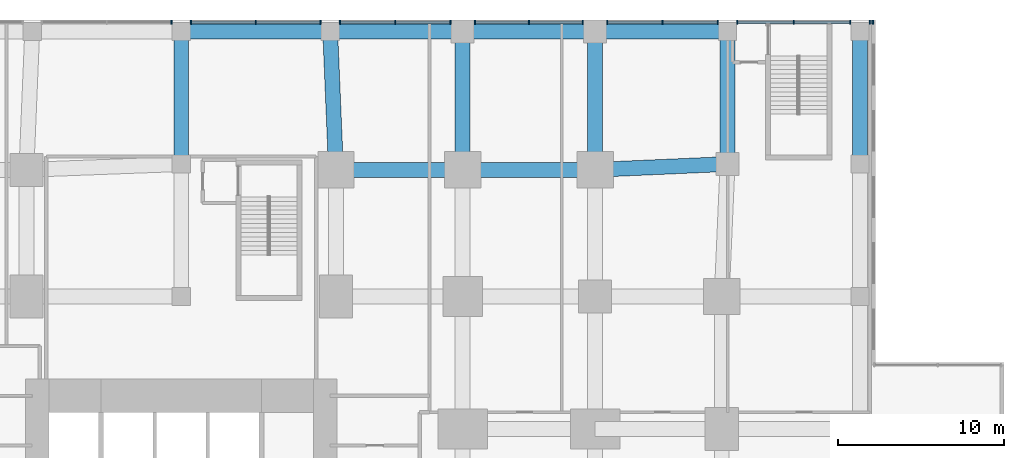
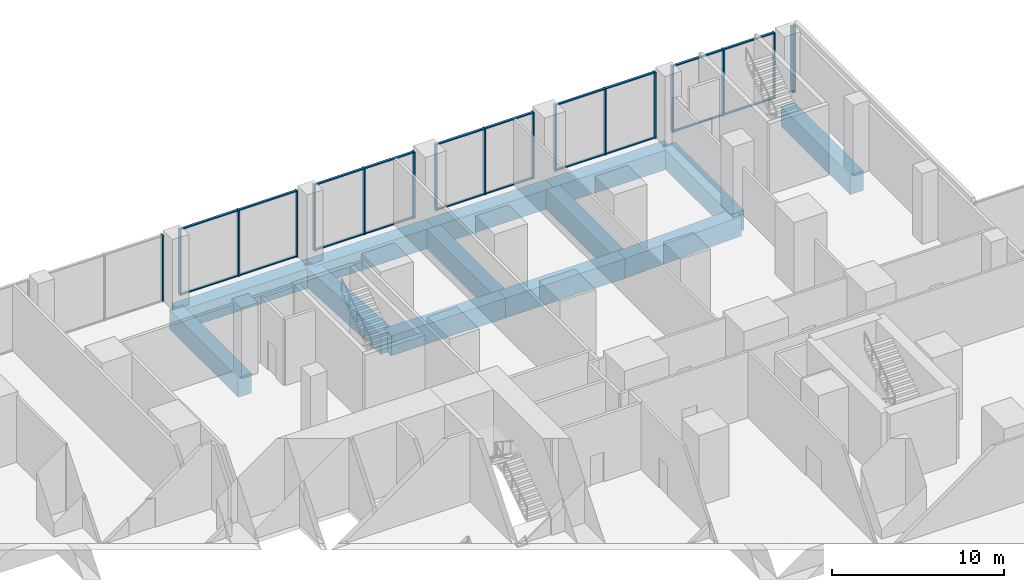
# One storey, part 8 of 22: 40 members, 13 beams, 7 elements without a shape of their own.
"""IFC4 building model written with IfcOpenShell, lengths in metres."""

from ifc_helpers import new_model, si_unit, direction, frame, origin, origin_2d, place, context, subcontext, project, spatial, rectangle, extrude, material, layer, layer_set, material_profile, profile_set, type_object, element, aggregate, save


model = new_model("IFC4")

# Units and contexts
model_context = context("Model", 3, precision=1e-05, world=origin(), true_north=direction((0.0, 1.0)))
body_context = subcontext(model_context, "Body", "Model", "MODEL_VIEW")
ifc_project = project(units=[si_unit("LENGTHUNIT", "METRE"), si_unit("AREAUNIT", "SQUARE_METRE"), si_unit("VOLUMEUNIT", "CUBIC_METRE"), si_unit("PLANEANGLEUNIT", "RADIAN"), si_unit("MASSUNIT", "GRAM", prefix="KILO")], contexts=[model_context])

# Site, building, storey
site_placement = place(None, origin())
site = spatial("IfcSite", under=ifc_project, at=site_placement, CompositionType="ELEMENT")
building_placement = place(site_placement, origin())
building = spatial("IfcBuilding", under=site, at=building_placement, Name="Cleftline Residences", CompositionType="ELEMENT")
storey_placement = place(building_placement, frame((0.0, 0.0, 6.0)))
storey = spatial("IfcBuildingStorey", under=building, at=storey_placement, Name="L01", CompositionType="ELEMENT", Elevation=6.0)

# Beams
ifc_material_1 = material(Name="Concrete B45", Category="concrete")
ifc_material_profile_1 = material_profile(ifc_material_1, rectangle(XDim=0.89990234375, YDim=1.39990234375, at=origin_2d()))
ifc_profile_set_1 = profile_set([ifc_material_profile_1], Name="Concrete B45")
beam_type = type_object("IfcBeamType", Name="BEAM RC900X1400", PredefinedType="BEAM", material=ifc_profile_set_1)
beam_1_placement = place(storey_placement, frame((42.35009765625, 47.64990234375, -1.0), z_axis=(1.0, 0.0, 0.0), x_axis=(0.0, 1.0, 0.0)))
element("IfcBeam", 1, at=beam_1_placement, inside=storey, type_object=beam_type, Name="Podium beam", PredefinedType="BEAM", context=body_context, shape_type="SweptSolid", body=[
    extrude(rectangle(XDim=0.89990234375, YDim=1.39990234375, at=origin_2d()), origin(), (0.0, 0.0, 1.0), 7.64990234375),
])
beam_2_placement = place(storey_placement, frame((50.0, 47.64990234375, -1.0), z_axis=(1.0, 0.0, 0.0), x_axis=(0.0, 1.0, 0.0)))
element("IfcBeam", 2, at=beam_2_placement, inside=storey, type_object=beam_type, Name="Podium beam", PredefinedType="BEAM", context=body_context, shape_type="SweptSolid", body=[
    extrude(rectangle(XDim=0.89990234375, YDim=1.39990234375, at=origin_2d()), origin(), (0.0, 0.0, 1.0), 8.0),
])
beam_3_placement = place(storey_placement, frame((58.0, 47.64990234375, -1.0), z_axis=(0.999043807824, 0.043720361951, 0.0), x_axis=(-0.043720361951, 0.999043807824, 0.0)))
element("IfcBeam", 3, at=beam_3_placement, inside=storey, type_object=beam_type, Name="Podium beam", PredefinedType="BEAM", context=body_context, shape_type="SweptSolid", body=[
    extrude(rectangle(XDim=0.89990234375, YDim=1.39990234375, at=origin_2d()), origin(), (0.0, 0.0, 1.0), 8.007568359375),
])
beam_4_placement = place(storey_placement, frame((33.0, 56.0, -1.0), z_axis=(1.0, 0.0, 0.0), x_axis=(0.0, 1.0, 0.0)))
element("IfcBeam", 4, at=beam_4_placement, inside=storey, type_object=beam_type, Name="Podium beam", PredefinedType="BEAM", context=body_context, shape_type="SweptSolid", body=[
    extrude(rectangle(XDim=0.89990234375, YDim=1.39990234375, at=origin_2d()), origin(), (0.0, 0.0, 1.0), 9.0),
])
for number, where, z_axis, x_axis, name in (
    (5, (42.0, 56.0, -1.0), (1.0, 0.0, 0.0), (0.0, 1.0, 0.0), "Podium beam"),
    (6, (50.0, 56.0, -1.0), (1.0, 0.0, 0.0), (0.0, 1.0, 0.0), "Podium beam"),
    (7, (58.0, 56.0, -1.0), (1.0, 0.0, 0.0), (0.0, 1.0, 0.0), "Podium beam"),
    (8, (33.0, 48.0, -1.0), (0.0, 1.0, 0.0), (-1.0, 0.0, 0.0), "Podium beam"),
):
    element("IfcBeam", number, at=place(storey_placement, frame(where, z_axis=z_axis, x_axis=x_axis)), inside=storey, type_object=beam_type, Name=name, PredefinedType="BEAM", context=body_context, shape_type="SweptSolid", body=[
        extrude(rectangle(XDim=0.89990234375, YDim=1.39990234375, at=origin_2d()), origin(), (0.0, 0.0, 1.0), 8.0),
    ])
beam_5_placement = place(storey_placement, frame((42.35009765625, 47.64990234375, -1.0), z_axis=(-0.041890569024, 0.999122204851, 0.0), x_axis=(-0.999122204851, -0.041890569024, 0.0)))
element("IfcBeam", 9, at=beam_5_placement, inside=storey, type_object=beam_type, Name="Podium beam", PredefinedType="BEAM", context=body_context, shape_type="SweptSolid", body=[
    extrude(rectangle(XDim=0.89990234375, YDim=1.39990234375, at=origin_2d()), origin(), (0.0, 0.0, 1.0), 8.357421875),
])
for number, where, z_axis, x_axis, name in (
    (10, (50.0, 47.64990234375, -1.0), (0.0, 1.0, 0.0), (-1.0, 0.0, 0.0), "Podium beam"),
    (11, (58.0, 47.64990234375, -1.0), (0.0, 1.0, 0.0), (-1.0, 0.0, 0.0), "Podium beam"),
):
    element("IfcBeam", number, at=place(storey_placement, frame(where, z_axis=z_axis, x_axis=x_axis)), inside=storey, type_object=beam_type, Name=name, PredefinedType="BEAM", context=body_context, shape_type="SweptSolid", body=[
        extrude(rectangle(XDim=0.89990234375, YDim=1.39990234375, at=origin_2d()), origin(), (0.0, 0.0, 1.0), 8.35009765625),
    ])
for number, where, z_axis, x_axis, name in (
    (12, (66.0, 48.0, -1.0), (0.0, 1.0, 0.0), (-1.0, 0.0, 0.0), "Podium beam"),
    (13, (74.0, 48.0, -1.0), (0.0, 1.0, 0.0), (-1.0, 0.0, 0.0), "Podium beam"),
):
    element("IfcBeam", number, at=place(storey_placement, frame(where, z_axis=z_axis, x_axis=x_axis)), inside=storey, type_object=beam_type, Name=name, PredefinedType="BEAM", context=body_context, shape_type="SweptSolid", body=[
        extrude(rectangle(XDim=0.89990234375, YDim=1.39990234375, at=origin_2d()), origin(), (0.0, 0.0, 1.0), 8.0),
    ])

# Curtain wall, members
ifc_material_2 = material(Name="Aluminium framed curtain wall", Category="aluminium")
ifc_layer = layer(ifc_material_2, 0.199951171875)
ifc_layer_set = layer_set([ifc_layer], Name="CW2 PODIUM GLAZING")
curtain_wall_type = type_object("IfcCurtainWallType", Name="CW2 PODIUM GLAZING", PredefinedType="NOTDEFINED", material=ifc_layer_set)
curtain_wall_1_placement = place(storey_placement, origin())
curtain_wall_1 = element("IfcCurtainWall", 14, at=curtain_wall_1_placement, inside=storey, type_object=curtain_wall_type, Name="Curtain wall CW2", PredefinedType="NOTDEFINED")
ifc_material_3 = material(Name="Aluminium mullion", Category="aluminium")
ifc_material_profile_2 = material_profile(ifc_material_3, rectangle(XDim=0.25, YDim=0.080078125, at=origin_2d()))
ifc_profile_set_2 = profile_set([ifc_material_profile_2], Name="Aluminium mullion")
member_type_1 = type_object("IfcMemberType", Name="CW2 MULLION", PredefinedType="MULLION", material=ifc_profile_set_2)
member_1_placement = place(storey_placement, frame((74.784912109375, 56.574951171875, 0.0), z_axis=(0.0, 0.0, 1.0), x_axis=(0.0, -1.0, 0.0)))
member_1 = element("IfcMember", 15, at=member_1_placement, type_object=member_type_1, Name="CW2 mullion 1", PredefinedType="MULLION", context=body_context, shape_type="SweptSolid", body=[
    extrude(rectangle(XDim=0.25, YDim=0.080078125, at=origin_2d()), origin(), (0.0, 0.0, 1.0), 4.699951171875),
])
member_2_placement = place(storey_placement, frame((74.590087890625, 56.574951171875, 0.0), z_axis=(0.0, 0.0, 1.0), x_axis=(0.0, -1.0, 0.0)))
member_2 = element("IfcMember", 16, at=member_2_placement, type_object=member_type_1, Name="CW2 mullion 2", PredefinedType="MULLION", context=body_context, shape_type="SweptSolid", body=[
    extrude(rectangle(XDim=0.25, YDim=0.080078125, at=origin_2d()), origin(), (0.0, 0.0, 1.0), 4.699951171875),
])

curtain_wall_2_placement = place(storey_placement, origin())
curtain_wall_2 = element("IfcCurtainWall", 17, at=curtain_wall_2_placement, inside=storey, type_object=curtain_wall_type, Name="Curtain wall CW2", PredefinedType="NOTDEFINED")
member_3_placement = place(storey_placement, frame((73.409912109375, 56.574951171875, 0.0), z_axis=(0.0, 0.0, 1.0), x_axis=(0.0, -1.0, 0.0)))
member_3 = element("IfcMember", 18, at=member_3_placement, type_object=member_type_1, Name="CW2 mullion 1", PredefinedType="MULLION", context=body_context, shape_type="SweptSolid", body=[
    extrude(rectangle(XDim=0.25, YDim=0.080078125, at=origin_2d()), origin(), (0.0, 0.0, 1.0), 4.699951171875),
])
member_4_placement = place(storey_placement, frame((70.0, 56.574951171875, 0.0), z_axis=(0.0, 0.0, 1.0), x_axis=(0.0, -1.0, 0.0)))
member_4 = element("IfcMember", 19, at=member_4_placement, type_object=member_type_1, Name="CW2 mullion 2", PredefinedType="MULLION", context=body_context, shape_type="SweptSolid", body=[
    extrude(rectangle(XDim=0.25, YDim=0.080078125, at=origin_2d()), origin(), (0.0, 0.0, 1.0), 4.699951171875),
])
member_5_placement = place(storey_placement, frame((66.590087890625, 56.574951171875, 0.0), z_axis=(0.0, 0.0, 1.0), x_axis=(0.0, -1.0, 0.0)))
member_5 = element("IfcMember", 20, at=member_5_placement, type_object=member_type_1, Name="CW2 mullion 3", PredefinedType="MULLION", context=body_context, shape_type="SweptSolid", body=[
    extrude(rectangle(XDim=0.25, YDim=0.080078125, at=origin_2d()), origin(), (0.0, 0.0, 1.0), 4.699951171875),
])

curtain_wall_3_placement = place(storey_placement, origin())
curtain_wall_3 = element("IfcCurtainWall", 21, at=curtain_wall_3_placement, inside=storey, type_object=curtain_wall_type, Name="Curtain wall CW2", PredefinedType="NOTDEFINED")
member_6_placement = place(storey_placement, frame((65.409912109375, 56.574951171875, 0.0), z_axis=(0.0, 0.0, 1.0), x_axis=(0.0, -1.0, 0.0)))
member_6 = element("IfcMember", 22, at=member_6_placement, type_object=member_type_1, Name="CW2 mullion 1", PredefinedType="MULLION", context=body_context, shape_type="SweptSolid", body=[
    extrude(rectangle(XDim=0.25, YDim=0.080078125, at=origin_2d()), origin(), (0.0, 0.0, 1.0), 4.699951171875),
])
member_7_placement = place(storey_placement, frame((62.074951171875, 56.574951171875, 0.0), z_axis=(0.0, 0.0, 1.0), x_axis=(0.0, -1.0, 0.0)))
member_7 = element("IfcMember", 23, at=member_7_placement, type_object=member_type_1, Name="CW2 mullion 2", PredefinedType="MULLION", context=body_context, shape_type="SweptSolid", body=[
    extrude(rectangle(XDim=0.25, YDim=0.080078125, at=origin_2d()), origin(), (0.0, 0.0, 1.0), 4.699951171875),
])
member_8_placement = place(storey_placement, frame((58.739990234375, 56.574951171875, 0.0), z_axis=(0.0, 0.0, 1.0), x_axis=(0.0, -1.0, 0.0)))
member_8 = element("IfcMember", 24, at=member_8_placement, type_object=member_type_1, Name="CW2 mullion 3", PredefinedType="MULLION", context=body_context, shape_type="SweptSolid", body=[
    extrude(rectangle(XDim=0.25, YDim=0.080078125, at=origin_2d()), origin(), (0.0, 0.0, 1.0), 4.699951171875),
])

curtain_wall_4_placement = place(storey_placement, origin())
curtain_wall_4 = element("IfcCurtainWall", 25, at=curtain_wall_4_placement, inside=storey, type_object=curtain_wall_type, Name="Curtain wall CW2", PredefinedType="NOTDEFINED")
member_9_placement = place(storey_placement, frame((57.260009765625, 56.574951171875, 0.0), z_axis=(0.0, 0.0, 1.0), x_axis=(0.0, -1.0, 0.0)))
member_9 = element("IfcMember", 26, at=member_9_placement, type_object=member_type_1, Name="CW2 mullion 1", PredefinedType="MULLION", context=body_context, shape_type="SweptSolid", body=[
    extrude(rectangle(XDim=0.25, YDim=0.080078125, at=origin_2d()), origin(), (0.0, 0.0, 1.0), 4.699951171875),
])
member_10_placement = place(storey_placement, frame((54.0, 56.574951171875, 0.0), z_axis=(0.0, 0.0, 1.0), x_axis=(0.0, -1.0, 0.0)))
member_10 = element("IfcMember", 27, at=member_10_placement, type_object=member_type_1, Name="CW2 mullion 2", PredefinedType="MULLION", context=body_context, shape_type="SweptSolid", body=[
    extrude(rectangle(XDim=0.25, YDim=0.080078125, at=origin_2d()), origin(), (0.0, 0.0, 1.0), 4.699951171875),
])
member_11_placement = place(storey_placement, frame((50.739990234375, 56.574951171875, 0.0), z_axis=(0.0, 0.0, 1.0), x_axis=(0.0, -1.0, 0.0)))
member_11 = element("IfcMember", 28, at=member_11_placement, type_object=member_type_1, Name="CW2 mullion 3", PredefinedType="MULLION", context=body_context, shape_type="SweptSolid", body=[
    extrude(rectangle(XDim=0.25, YDim=0.080078125, at=origin_2d()), origin(), (0.0, 0.0, 1.0), 4.699951171875),
])

curtain_wall_5_placement = place(storey_placement, origin())
curtain_wall_5 = element("IfcCurtainWall", 29, at=curtain_wall_5_placement, inside=storey, type_object=curtain_wall_type, Name="Curtain wall CW2", PredefinedType="NOTDEFINED")
member_12_placement = place(storey_placement, frame((49.260009765625, 56.574951171875, 0.0), z_axis=(0.0, 0.0, 1.0), x_axis=(0.0, -1.0, 0.0)))
member_12 = element("IfcMember", 30, at=member_12_placement, type_object=member_type_1, Name="CW2 mullion 1", PredefinedType="MULLION", context=body_context, shape_type="SweptSolid", body=[
    extrude(rectangle(XDim=0.25, YDim=0.080078125, at=origin_2d()), origin(), (0.0, 0.0, 1.0), 4.699951171875),
])
member_13_placement = place(storey_placement, frame((45.925048828125, 56.574951171875, 0.0), z_axis=(0.0, 0.0, 1.0), x_axis=(0.0, -1.0, 0.0)))
member_13 = element("IfcMember", 31, at=member_13_placement, type_object=member_type_1, Name="CW2 mullion 2", PredefinedType="MULLION", context=body_context, shape_type="SweptSolid", body=[
    extrude(rectangle(XDim=0.25, YDim=0.080078125, at=origin_2d()), origin(), (0.0, 0.0, 1.0), 4.699951171875),
])
member_14_placement = place(storey_placement, frame((42.590087890625, 56.574951171875, 0.0), z_axis=(0.0, 0.0, 1.0), x_axis=(0.0, -1.0, 0.0)))
member_14 = element("IfcMember", 32, at=member_14_placement, type_object=member_type_1, Name="CW2 mullion 3", PredefinedType="MULLION", context=body_context, shape_type="SweptSolid", body=[
    extrude(rectangle(XDim=0.25, YDim=0.080078125, at=origin_2d()), origin(), (0.0, 0.0, 1.0), 4.699951171875),
])

curtain_wall_6_placement = place(storey_placement, origin())
curtain_wall_6 = element("IfcCurtainWall", 33, at=curtain_wall_6_placement, inside=storey, type_object=curtain_wall_type, Name="Curtain wall CW2", PredefinedType="NOTDEFINED")
member_15_placement = place(storey_placement, frame((41.409912109375, 56.574951171875, 0.0), z_axis=(0.0, 0.0, 1.0), x_axis=(0.0, -1.0, 0.0)))
member_15 = element("IfcMember", 34, at=member_15_placement, type_object=member_type_1, Name="CW2 mullion 1", PredefinedType="MULLION", context=body_context, shape_type="SweptSolid", body=[
    extrude(rectangle(XDim=0.25, YDim=0.080078125, at=origin_2d()), origin(), (0.0, 0.0, 1.0), 4.699951171875),
])
member_16_placement = place(storey_placement, frame((37.5, 56.574951171875, 0.0), z_axis=(0.0, 0.0, 1.0), x_axis=(0.0, -1.0, 0.0)))
member_16 = element("IfcMember", 35, at=member_16_placement, type_object=member_type_1, Name="CW2 mullion 2", PredefinedType="MULLION", context=body_context, shape_type="SweptSolid", body=[
    extrude(rectangle(XDim=0.25, YDim=0.080078125, at=origin_2d()), origin(), (0.0, 0.0, 1.0), 4.699951171875),
])
member_17_placement = place(storey_placement, frame((33.590087890625, 56.574951171875, 0.0), z_axis=(0.0, 0.0, 1.0), x_axis=(0.0, -1.0, 0.0)))
member_17 = element("IfcMember", 36, at=member_17_placement, type_object=member_type_1, Name="CW2 mullion 3", PredefinedType="MULLION", context=body_context, shape_type="SweptSolid", body=[
    extrude(rectangle(XDim=0.25, YDim=0.080078125, at=origin_2d()), origin(), (0.0, 0.0, 1.0), 4.699951171875),
])

# Curtain wall, member
curtain_wall_7_placement = place(storey_placement, origin())
curtain_wall_7 = element("IfcCurtainWall", 37, at=curtain_wall_7_placement, inside=storey, type_object=curtain_wall_type, Name="Curtain wall CW2", PredefinedType="NOTDEFINED")
member_18_placement = place(storey_placement, frame((32.409912109375, 56.574951171875, 0.0), z_axis=(0.0, 0.0, 1.0), x_axis=(0.0, -1.0, 0.0)))
member_18 = element("IfcMember", 38, at=member_18_placement, type_object=member_type_1, Name="CW2 mullion 1", PredefinedType="MULLION", context=body_context, shape_type="SweptSolid", body=[
    extrude(rectangle(XDim=0.25, YDim=0.080078125, at=origin_2d()), origin(), (0.0, 0.0, 1.0), 4.699951171875),
])
aggregate(curtain_wall_7, [member_18])

# Member
ifc_material_4 = material(Name="Aluminium transom", Category="aluminium")
ifc_material_profile_3 = material_profile(ifc_material_4, rectangle(XDim=0.14990234375, YDim=0.080078125, at=origin_2d()))
ifc_profile_set_3 = profile_set([ifc_material_profile_3], Name="Aluminium transom")
member_type_2 = type_object("IfcMemberType", Name="CW2 TRANSOM", PredefinedType="USERDEFINED", material=ifc_profile_set_3)
member_19_placement = place(storey_placement, frame((74.7451171875, 56.574951171875, 0.0400390625), z_axis=(-1.0, 0.0, 0.0), x_axis=(0.0, -1.0, 0.0)))
member_19 = element("IfcMember", 39, at=member_19_placement, type_object=member_type_2, Name="CW2 transom 1.1", ObjectType="TRANSOM", PredefinedType="USERDEFINED", context=body_context, shape_type="SweptSolid", body=[
    extrude(rectangle(XDim=0.14990234375, YDim=0.080078125, at=origin_2d()), origin(), (0.0, 0.0, 1.0), 0.115234375),
])

member_20_placement = place(storey_placement, frame((74.7451171875, 56.574951171875, 4.659912109375), z_axis=(-1.0, 0.0, 0.0), x_axis=(0.0, -1.0, 0.0)))
member_20 = element("IfcMember", 40, at=member_20_placement, type_object=member_type_2, Name="CW2 transom 1.2", ObjectType="TRANSOM", PredefinedType="USERDEFINED", context=body_context, shape_type="SweptSolid", body=[
    extrude(rectangle(XDim=0.14990234375, YDim=0.080078125, at=origin_2d()), origin(), (0.0, 0.0, 1.0), 0.115234375),
])

aggregate(curtain_wall_1, [member_1, member_2, member_19, member_20])

member_21_placement = place(storey_placement, frame((73.3701171875, 56.574951171875, 0.0400390625), z_axis=(-1.0, 0.0, 0.0), x_axis=(0.0, -1.0, 0.0)))
member_21 = element("IfcMember", 41, at=member_21_placement, type_object=member_type_2, Name="CW2 transom 1.1", ObjectType="TRANSOM", PredefinedType="USERDEFINED", context=body_context, shape_type="SweptSolid", body=[
    extrude(rectangle(XDim=0.14990234375, YDim=0.080078125, at=origin_2d()), origin(), (0.0, 0.0, 1.0), 3.330078125),
])

member_22_placement = place(storey_placement, frame((73.3701171875, 56.574951171875, 4.659912109375), z_axis=(-1.0, 0.0, 0.0), x_axis=(0.0, -1.0, 0.0)))
member_22 = element("IfcMember", 42, at=member_22_placement, type_object=member_type_2, Name="CW2 transom 1.2", ObjectType="TRANSOM", PredefinedType="USERDEFINED", context=body_context, shape_type="SweptSolid", body=[
    extrude(rectangle(XDim=0.14990234375, YDim=0.080078125, at=origin_2d()), origin(), (0.0, 0.0, 1.0), 3.330078125),
])

member_23_placement = place(storey_placement, frame((69.9599609375, 56.574951171875, 0.0400390625), z_axis=(-1.0, 0.0, 0.0), x_axis=(0.0, -1.0, 0.0)))
member_23 = element("IfcMember", 43, at=member_23_placement, type_object=member_type_2, Name="CW2 transom 2.1", ObjectType="TRANSOM", PredefinedType="USERDEFINED", context=body_context, shape_type="SweptSolid", body=[
    extrude(rectangle(XDim=0.14990234375, YDim=0.080078125, at=origin_2d()), origin(), (0.0, 0.0, 1.0), 3.330078125),
])

member_24_placement = place(storey_placement, frame((69.9599609375, 56.574951171875, 4.659912109375), z_axis=(-1.0, 0.0, 0.0), x_axis=(0.0, -1.0, 0.0)))
member_24 = element("IfcMember", 44, at=member_24_placement, type_object=member_type_2, Name="CW2 transom 2.2", ObjectType="TRANSOM", PredefinedType="USERDEFINED", context=body_context, shape_type="SweptSolid", body=[
    extrude(rectangle(XDim=0.14990234375, YDim=0.080078125, at=origin_2d()), origin(), (0.0, 0.0, 1.0), 3.330078125),
])

aggregate(curtain_wall_2, [member_3, member_4, member_5, member_21, member_22, member_23, member_24])

member_25_placement = place(storey_placement, frame((65.3701171875, 56.574951171875, 0.0400390625), z_axis=(-1.0, 0.0, 0.0), x_axis=(0.0, -1.0, 0.0)))
member_25 = element("IfcMember", 45, at=member_25_placement, type_object=member_type_2, Name="CW2 transom 1.1", ObjectType="TRANSOM", PredefinedType="USERDEFINED", context=body_context, shape_type="SweptSolid", body=[
    extrude(rectangle(XDim=0.14990234375, YDim=0.080078125, at=origin_2d()), origin(), (0.0, 0.0, 1.0), 3.255126953125),
])

member_26_placement = place(storey_placement, frame((65.3701171875, 56.574951171875, 4.659912109375), z_axis=(-1.0, 0.0, 0.0), x_axis=(0.0, -1.0, 0.0)))
member_26 = element("IfcMember", 46, at=member_26_placement, type_object=member_type_2, Name="CW2 transom 1.2", ObjectType="TRANSOM", PredefinedType="USERDEFINED", context=body_context, shape_type="SweptSolid", body=[
    extrude(rectangle(XDim=0.14990234375, YDim=0.080078125, at=origin_2d()), origin(), (0.0, 0.0, 1.0), 3.255126953125),
])

member_27_placement = place(storey_placement, frame((62.034912109375, 56.574951171875, 0.0400390625), z_axis=(-1.0, 0.0, 0.0), x_axis=(0.0, -1.0, 0.0)))
member_27 = element("IfcMember", 47, at=member_27_placement, type_object=member_type_2, Name="CW2 transom 2.1", ObjectType="TRANSOM", PredefinedType="USERDEFINED", context=body_context, shape_type="SweptSolid", body=[
    extrude(rectangle(XDim=0.14990234375, YDim=0.080078125, at=origin_2d()), origin(), (0.0, 0.0, 1.0), 3.2548828125),
])

member_28_placement = place(storey_placement, frame((62.034912109375, 56.574951171875, 4.659912109375), z_axis=(-1.0, 0.0, 0.0), x_axis=(0.0, -1.0, 0.0)))
member_28 = element("IfcMember", 48, at=member_28_placement, type_object=member_type_2, Name="CW2 transom 2.2", ObjectType="TRANSOM", PredefinedType="USERDEFINED", context=body_context, shape_type="SweptSolid", body=[
    extrude(rectangle(XDim=0.14990234375, YDim=0.080078125, at=origin_2d()), origin(), (0.0, 0.0, 1.0), 3.2548828125),
])

aggregate(curtain_wall_3, [member_6, member_7, member_8, member_25, member_26, member_27, member_28])

member_29_placement = place(storey_placement, frame((57.219970703125, 56.574951171875, 0.0400390625), z_axis=(-1.0, 0.0, 0.0), x_axis=(0.0, -1.0, 0.0)))
member_29 = element("IfcMember", 49, at=member_29_placement, type_object=member_type_2, Name="CW2 transom 1.1", ObjectType="TRANSOM", PredefinedType="USERDEFINED", context=body_context, shape_type="SweptSolid", body=[
    extrude(rectangle(XDim=0.14990234375, YDim=0.080078125, at=origin_2d()), origin(), (0.0, 0.0, 1.0), 3.179931640625),
])

member_30_placement = place(storey_placement, frame((57.219970703125, 56.574951171875, 4.659912109375), z_axis=(-1.0, 0.0, 0.0), x_axis=(0.0, -1.0, 0.0)))
member_30 = element("IfcMember", 50, at=member_30_placement, type_object=member_type_2, Name="CW2 transom 1.2", ObjectType="TRANSOM", PredefinedType="USERDEFINED", context=body_context, shape_type="SweptSolid", body=[
    extrude(rectangle(XDim=0.14990234375, YDim=0.080078125, at=origin_2d()), origin(), (0.0, 0.0, 1.0), 3.179931640625),
])

member_31_placement = place(storey_placement, frame((53.9599609375, 56.574951171875, 0.0400390625), z_axis=(-1.0, 0.0, 0.0), x_axis=(0.0, -1.0, 0.0)))
member_31 = element("IfcMember", 51, at=member_31_placement, type_object=member_type_2, Name="CW2 transom 2.1", ObjectType="TRANSOM", PredefinedType="USERDEFINED", context=body_context, shape_type="SweptSolid", body=[
    extrude(rectangle(XDim=0.14990234375, YDim=0.080078125, at=origin_2d()), origin(), (0.0, 0.0, 1.0), 3.179931640625),
])

member_32_placement = place(storey_placement, frame((53.9599609375, 56.574951171875, 4.659912109375), z_axis=(-1.0, 0.0, 0.0), x_axis=(0.0, -1.0, 0.0)))
member_32 = element("IfcMember", 52, at=member_32_placement, type_object=member_type_2, Name="CW2 transom 2.2", ObjectType="TRANSOM", PredefinedType="USERDEFINED", context=body_context, shape_type="SweptSolid", body=[
    extrude(rectangle(XDim=0.14990234375, YDim=0.080078125, at=origin_2d()), origin(), (0.0, 0.0, 1.0), 3.179931640625),
])

aggregate(curtain_wall_4, [member_9, member_10, member_11, member_29, member_30, member_31, member_32])

member_33_placement = place(storey_placement, frame((49.219970703125, 56.574951171875, 0.0400390625), z_axis=(-1.0, 0.0, 0.0), x_axis=(0.0, -1.0, 0.0)))
member_33 = element("IfcMember", 53, at=member_33_placement, type_object=member_type_2, Name="CW2 transom 1.1", ObjectType="TRANSOM", PredefinedType="USERDEFINED", context=body_context, shape_type="SweptSolid", body=[
    extrude(rectangle(XDim=0.14990234375, YDim=0.080078125, at=origin_2d()), origin(), (0.0, 0.0, 1.0), 3.2548828125),
])

member_34_placement = place(storey_placement, frame((49.219970703125, 56.574951171875, 4.659912109375), z_axis=(-1.0, 0.0, 0.0), x_axis=(0.0, -1.0, 0.0)))
member_34 = element("IfcMember", 54, at=member_34_placement, type_object=member_type_2, Name="CW2 transom 1.2", ObjectType="TRANSOM", PredefinedType="USERDEFINED", context=body_context, shape_type="SweptSolid", body=[
    extrude(rectangle(XDim=0.14990234375, YDim=0.080078125, at=origin_2d()), origin(), (0.0, 0.0, 1.0), 3.2548828125),
])

member_35_placement = place(storey_placement, frame((45.885009765625, 56.574951171875, 0.0400390625), z_axis=(-1.0, 0.0, 0.0), x_axis=(0.0, -1.0, 0.0)))
member_35 = element("IfcMember", 55, at=member_35_placement, type_object=member_type_2, Name="CW2 transom 2.1", ObjectType="TRANSOM", PredefinedType="USERDEFINED", context=body_context, shape_type="SweptSolid", body=[
    extrude(rectangle(XDim=0.14990234375, YDim=0.080078125, at=origin_2d()), origin(), (0.0, 0.0, 1.0), 3.255126953125),
])

member_36_placement = place(storey_placement, frame((45.885009765625, 56.574951171875, 4.659912109375), z_axis=(-1.0, 0.0, 0.0), x_axis=(0.0, -1.0, 0.0)))
member_36 = element("IfcMember", 56, at=member_36_placement, type_object=member_type_2, Name="CW2 transom 2.2", ObjectType="TRANSOM", PredefinedType="USERDEFINED", context=body_context, shape_type="SweptSolid", body=[
    extrude(rectangle(XDim=0.14990234375, YDim=0.080078125, at=origin_2d()), origin(), (0.0, 0.0, 1.0), 3.255126953125),
])

aggregate(curtain_wall_5, [member_12, member_13, member_14, member_33, member_34, member_35, member_36])

member_37_placement = place(storey_placement, frame((41.3701171875, 56.574951171875, 0.0400390625), z_axis=(-1.0, 0.0, 0.0), x_axis=(0.0, -1.0, 0.0)))
member_37 = element("IfcMember", 57, at=member_37_placement, type_object=member_type_2, Name="CW2 transom 1.1", ObjectType="TRANSOM", PredefinedType="USERDEFINED", context=body_context, shape_type="SweptSolid", body=[
    extrude(rectangle(XDim=0.14990234375, YDim=0.080078125, at=origin_2d()), origin(), (0.0, 0.0, 1.0), 3.830078125),
])

member_38_placement = place(storey_placement, frame((41.3701171875, 56.574951171875, 4.659912109375), z_axis=(-1.0, 0.0, 0.0), x_axis=(0.0, -1.0, 0.0)))
member_38 = element("IfcMember", 58, at=member_38_placement, type_object=member_type_2, Name="CW2 transom 1.2", ObjectType="TRANSOM", PredefinedType="USERDEFINED", context=body_context, shape_type="SweptSolid", body=[
    extrude(rectangle(XDim=0.14990234375, YDim=0.080078125, at=origin_2d()), origin(), (0.0, 0.0, 1.0), 3.830078125),
])

member_39_placement = place(storey_placement, frame((37.4599609375, 56.574951171875, 0.0400390625), z_axis=(-1.0, 0.0, 0.0), x_axis=(0.0, -1.0, 0.0)))
member_39 = element("IfcMember", 59, at=member_39_placement, type_object=member_type_2, Name="CW2 transom 2.1", ObjectType="TRANSOM", PredefinedType="USERDEFINED", context=body_context, shape_type="SweptSolid", body=[
    extrude(rectangle(XDim=0.14990234375, YDim=0.080078125, at=origin_2d()), origin(), (0.0, 0.0, 1.0), 3.830078125),
])

member_40_placement = place(storey_placement, frame((37.4599609375, 56.574951171875, 4.659912109375), z_axis=(-1.0, 0.0, 0.0), x_axis=(0.0, -1.0, 0.0)))
member_40 = element("IfcMember", 60, at=member_40_placement, type_object=member_type_2, Name="CW2 transom 2.2", ObjectType="TRANSOM", PredefinedType="USERDEFINED", context=body_context, shape_type="SweptSolid", body=[
    extrude(rectangle(XDim=0.14990234375, YDim=0.080078125, at=origin_2d()), origin(), (0.0, 0.0, 1.0), 3.830078125),
])

aggregate(curtain_wall_6, [member_15, member_16, member_17, member_37, member_38, member_39, member_40])

save(model, "model.ifc")
